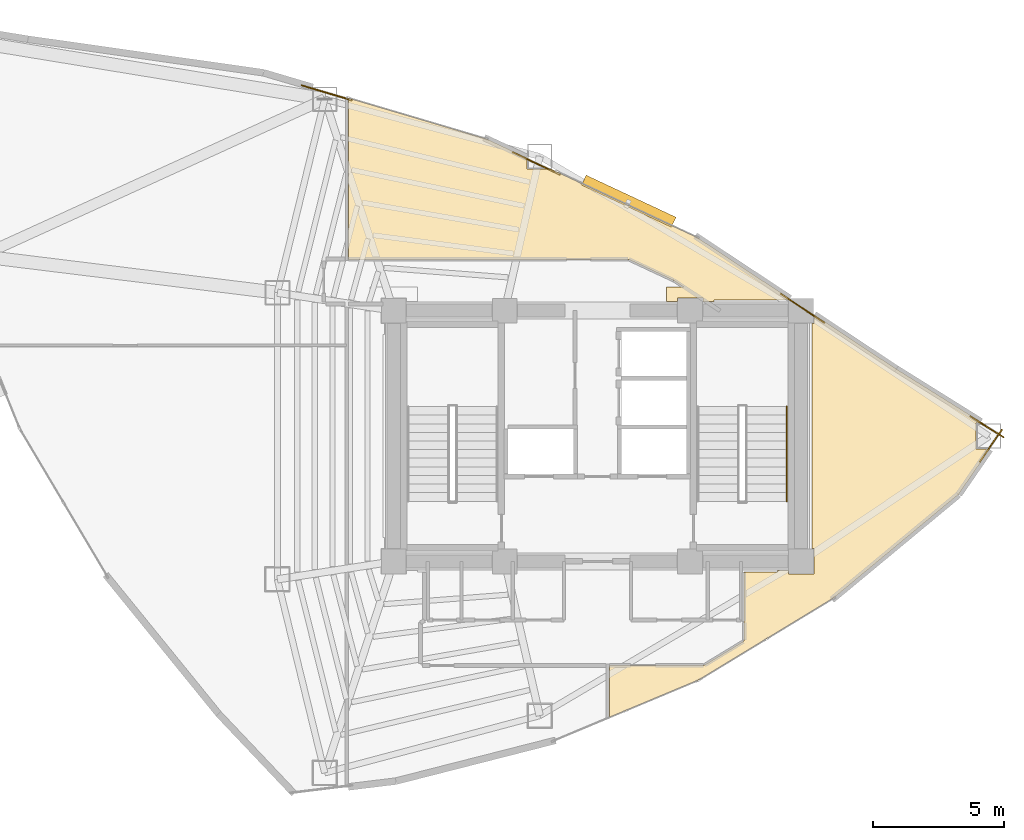
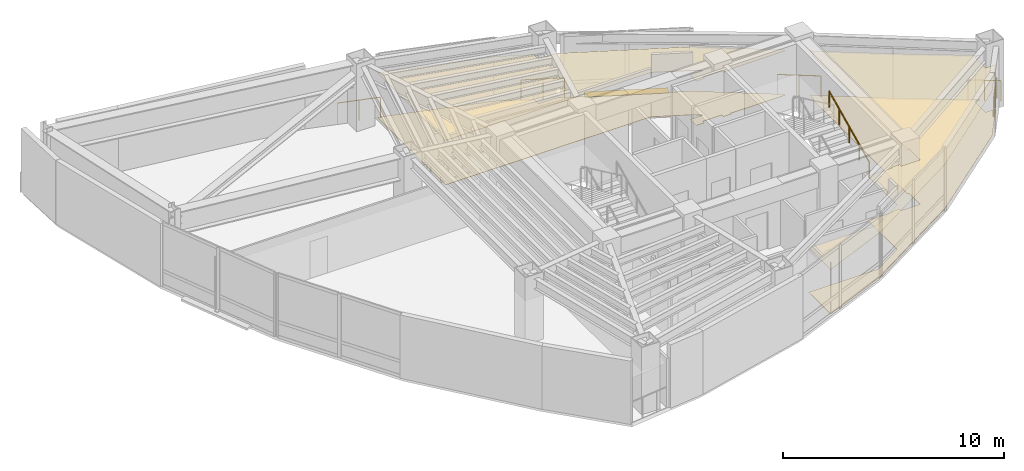
# One storey, part 16 of 16: 6 railings, 4 coverings, 1 shading device.
"""IFC4 building model written with IfcOpenShell, lengths in metres."""

from ifc_helpers import new_model, si_unit, direction, frame, origin, origin_2d, place, context, subcontext, project, spatial, polyline, rectangle, circle, outline, extrude, material, layer, layer_set, type_object, element, save


model = new_model("IFC4")

# Units and contexts
model_context = context("Model", 3, precision=1e-05, world=origin(), true_north=direction((0.0, 1.0)))
body_context = subcontext(model_context, "Body", "Model", "MODEL_VIEW")
ifc_project = project(units=[si_unit("LENGTHUNIT", "METRE"), si_unit("AREAUNIT", "SQUARE_METRE"), si_unit("VOLUMEUNIT", "CUBIC_METRE"), si_unit("PLANEANGLEUNIT", "RADIAN"), si_unit("MASSUNIT", "GRAM", prefix="KILO")], contexts=[model_context])

# Site, building, storey
site_placement = place(None, origin())
site = spatial("IfcSite", under=ifc_project, at=site_placement, CompositionType="ELEMENT")
building_placement = place(site_placement, origin())
building = spatial("IfcBuilding", under=site, at=building_placement, Name="Menara Vayukalpa", CompositionType="ELEMENT")
storey_placement = place(building_placement, frame((0.0, 0.0, 198.9599609375)))
storey = spatial("IfcBuildingStorey", under=building, at=storey_placement, Name="L50", CompositionType="ELEMENT", Elevation=198.9599609375)

# Coverings
ifc_material_1 = material(Name="Mineral Fibre Acoustic Ceiling Tile", Category="masonry")
ifc_layer_1 = layer(ifc_material_1, 0.02490234375)
ifc_layer_set_1 = layer_set([ifc_layer_1], Name="Mineral Fibre Acoustic Ceiling Tile")
covering_type_1 = type_object("IfcCoveringType", Name="COV-CLG1", PredefinedType="CEILING", material=ifc_layer_set_1)
covering_1_placement = place(storey_placement, frame((0.0, 0.0, 2.449951171875)))
element("IfcCovering", 1, at=covering_1_placement, inside=storey, type_object=covering_type_1, Name="L50 Technical Reference Library Acoustic Ceiling", PredefinedType="CEILING", context=body_context, shape_type="SweptSolid", body=[
    extrude(outline(polyline([(33.81005859375, 26.31005859375), (33.889892578125, 26.31005859375), (33.889892578125, 26.653564453125), (37.04296875, 24.569580078125), (37.04345703125, 24.5693359375), (37.04345703125, 24.5693359375), (40.373779296875, 22.489990234375), (40.1005859375, 22.489990234375), (40.1005859375, 21.510009765625), (40.635009765625, 21.510009765625), (39.4326171875, 19.765869140625), (39.431884765625, 19.76513671875), (39.431396484375, 19.764404296875), (39.4306640625, 19.763916015625), (34.662109375, 15.809326171875), (34.660888671875, 15.80859375), (29.47998046875, 12.661376953125), (29.479248046875, 12.660888671875), (29.478515625, 12.66064453125), (26.073974609375, 11.236328125), (26.072998046875, 11.236083984375), (26.072021484375, 11.23583984375), (26.071044921875, 11.235595703125), (26.070068359375, 11.235595703125), (26.069091796875, 11.235595703125), (26.068115234375, 11.23583984375), (26.067138671875, 11.236083984375), (26.066162109375, 11.236328125), (26.065185546875, 11.23681640625), (26.064453125, 11.2373046875), (26.063720703125, 11.23779296875), (26.06298828125, 11.238525390625), (26.062255859375, 11.2392578125), (26.061767578125, 11.239990234375), (26.061279296875, 11.240966796875), (26.060791015625, 11.24169921875), (26.060302734375, 11.24267578125), (26.060302734375, 11.24365234375), (26.06005859375, 11.24462890625), (26.06005859375, 11.24560546875), (26.06005859375, 13.2099609375), (26.06005859375, 13.2109375), (26.060302734375, 13.2119140625), (26.060302734375, 13.212890625), (26.060791015625, 13.2138671875), (26.061279296875, 13.214599609375), (26.061767578125, 13.215576171875), (26.062255859375, 13.21630859375), (26.06298828125, 13.217041015625), (26.063720703125, 13.2177734375), (26.064453125, 13.21826171875), (26.065185546875, 13.21875), (26.066162109375, 13.21923828125), (26.067138671875, 13.219482421875), (26.068115234375, 13.2197265625), (26.069091796875, 13.219970703125), (26.070068359375, 13.219970703125), (29.667236328125, 13.219970703125), (29.673828125, 13.22021484375), (29.68017578125, 13.22119140625), (29.686279296875, 13.22265625), (29.6923828125, 13.224609375), (29.6982421875, 13.22705078125), (29.7041015625, 13.230224609375), (31.18603515625, 14.130615234375), (31.1923828125, 14.134765625), (31.19775390625, 14.139404296875), (31.20263671875, 14.14453125), (31.20703125, 14.150146484375), (31.2109375, 14.15625), (31.214111328125, 14.16259765625), (31.216552734375, 14.16943359375), (31.218505859375, 14.176513671875), (31.219482421875, 14.183349609375), (31.219970703125, 14.19091796875), (31.219970703125, 14.849609375), (31.219482421875, 14.856689453125), (31.21875, 14.86376953125), (31.217041015625, 14.870361328125), (31.214599609375, 14.876708984375), (31.2119140625, 14.8828125), (31.211669921875, 14.883056640625), (31.211181640625, 14.8837890625), (31.210693359375, 14.884765625), (31.21044921875, 14.8857421875), (31.210205078125, 14.88671875), (31.2099609375, 14.8876953125), (31.2099609375, 14.888671875), (31.2099609375, 16.780029296875), (31.2099609375, 16.781005859375), (31.210205078125, 16.781982421875), (31.21044921875, 16.782958984375), (31.210693359375, 16.78369140625), (31.211181640625, 16.78466796875), (31.211669921875, 16.78564453125), (31.21240234375, 16.786376953125), (31.212890625, 16.787109375), (31.213623046875, 16.78759765625), (31.21435546875, 16.788330078125), (31.21533203125, 16.788818359375), (31.21630859375, 16.789306640625), (31.217041015625, 16.78955078125), (31.218017578125, 16.789794921875), (31.218994140625, 16.7900390625), (31.219970703125, 16.7900390625), (32.489990234375, 16.7900390625), (32.489990234375, 16.85009765625), (32.909912109375, 16.85009765625), (32.909912109375, 16.7099609375), (33.889892578125, 16.7099609375), (33.889892578125, 17.68994140625), (33.81005859375, 17.68994140625), (33.81005859375, 26.31005859375)])), origin(), (0.0, 0.0, 1.0), 0.025146484375),
])
covering_2_placement = place(storey_placement, frame((0.0, 0.0, 2.449951171875)))
element("IfcCovering", 2, at=covering_2_placement, inside=storey, type_object=covering_type_1, Name="L50 Technical Reference Library Acoustic Ceiling", PredefinedType="CEILING", context=body_context, shape_type="SweptSolid", body=[
    extrude(outline(polyline([(28.525390625, 27.95751953125), (28.515869140625, 27.962890625), (26.80517578125, 28.76318359375), (26.7978515625, 28.76611328125), (26.79052734375, 28.768310546875), (26.782958984375, 28.76953125), (26.77490234375, 28.77001953125), (16.070068359375, 28.77001953125), (16.069091796875, 28.77001953125), (16.068115234375, 28.770263671875), (16.067138671875, 28.7705078125), (16.066162109375, 28.770751953125), (16.065185546875, 28.771240234375), (16.064453125, 28.771728515625), (16.063720703125, 28.772216796875), (16.06298828125, 28.77294921875), (16.062255859375, 28.773681640625), (16.061767578125, 28.7744140625), (16.061279296875, 28.775390625), (16.060791015625, 28.776123046875), (16.060302734375, 28.777099609375), (16.060302734375, 28.778076171875), (16.06005859375, 28.779052734375), (16.06005859375, 28.780029296875), (16.06005859375, 34.93115234375), (16.06005859375, 34.93212890625), (16.060302734375, 34.93310546875), (16.060302734375, 34.93408203125), (16.060791015625, 34.934814453125), (16.061279296875, 34.935791015625), (16.061767578125, 34.9365234375), (16.062255859375, 34.9375), (16.06298828125, 34.938232421875), (16.063720703125, 34.938720703125), (16.064453125, 34.939453125), (16.065185546875, 34.93994140625), (16.066162109375, 34.940185546875), (16.067138671875, 34.940673828125), (16.068115234375, 34.94091796875), (16.069091796875, 34.94091796875), (16.06982421875, 34.941162109375), (16.07080078125, 34.941162109375), (16.072021484375, 34.94091796875), (16.07275390625, 34.940673828125), (21.35888671875, 33.37548828125), (21.359619140625, 33.375244140625), (21.3603515625, 33.375), (22.8994140625, 32.655029296875), (22.8994140625, 32.218505859375), (23.83251953125, 32.218505859375), (29.43701171875, 29.5966796875), (29.438232421875, 29.595947265625), (32.927001953125, 27.2900390625), (32.909912109375, 27.2900390625), (32.909912109375, 27.2099609375), (30.06005859375, 27.2099609375), (30.06005859375, 27.14990234375), (29.639892578125, 27.14990234375), (29.639892578125, 27.2900390625), (28.659912109375, 27.2900390625), (28.659912109375, 27.14990234375), (28.239990234375, 27.14990234375), (28.239990234375, 27.7099609375), (28.900146484375, 27.7099609375), (28.525390625, 27.95751953125)])), origin(), (0.0, 0.0, 1.0), 0.025146484375),
])
ifc_material_2 = material(Name="Porcelain Stoneware Floor Tile", Category="masonry")
ifc_layer_2 = layer(ifc_material_2, 0.02001953125)
ifc_layer_set_2 = layer_set([ifc_layer_2], Name="Porcelain Stoneware Floor Tile")
covering_type_2 = type_object("IfcCoveringType", Name="COV-FLR1", PredefinedType="FLOORING", material=ifc_layer_set_2)
covering_3_placement = place(storey_placement, origin())
element("IfcCovering", 3, at=covering_3_placement, inside=storey, type_object=covering_type_2, Name="L50 Technical Reference Library Porcelain Flooring", PredefinedType="FLOORING", context=body_context, shape_type="SweptSolid", body=[
    extrude(outline(polyline([(33.81005859375, 26.31005859375), (33.889892578125, 26.31005859375), (33.889892578125, 26.653564453125), (37.04296875, 24.569580078125), (37.04345703125, 24.5693359375), (37.04345703125, 24.5693359375), (40.373779296875, 22.489990234375), (40.1005859375, 22.489990234375), (40.1005859375, 21.510009765625), (40.635009765625, 21.510009765625), (39.4326171875, 19.765869140625), (39.431884765625, 19.76513671875), (39.431396484375, 19.764404296875), (39.4306640625, 19.763916015625), (34.662109375, 15.809326171875), (34.660888671875, 15.80859375), (29.47998046875, 12.661376953125), (29.479248046875, 12.660888671875), (29.478515625, 12.66064453125), (26.073974609375, 11.236328125), (26.072998046875, 11.236083984375), (26.072021484375, 11.23583984375), (26.071044921875, 11.235595703125), (26.070068359375, 11.235595703125), (26.069091796875, 11.235595703125), (26.068115234375, 11.23583984375), (26.067138671875, 11.236083984375), (26.066162109375, 11.236328125), (26.065185546875, 11.23681640625), (26.064453125, 11.2373046875), (26.063720703125, 11.23779296875), (26.06298828125, 11.238525390625), (26.062255859375, 11.2392578125), (26.061767578125, 11.239990234375), (26.061279296875, 11.240966796875), (26.060791015625, 11.24169921875), (26.060302734375, 11.24267578125), (26.060302734375, 11.24365234375), (26.06005859375, 11.24462890625), (26.06005859375, 11.24560546875), (26.06005859375, 13.2099609375), (26.06005859375, 13.2109375), (26.060302734375, 13.2119140625), (26.060302734375, 13.212890625), (26.060791015625, 13.2138671875), (26.061279296875, 13.214599609375), (26.061767578125, 13.215576171875), (26.062255859375, 13.21630859375), (26.06298828125, 13.217041015625), (26.063720703125, 13.2177734375), (26.064453125, 13.21826171875), (26.065185546875, 13.21875), (26.066162109375, 13.21923828125), (26.067138671875, 13.219482421875), (26.068115234375, 13.2197265625), (26.069091796875, 13.219970703125), (26.070068359375, 13.219970703125), (29.667236328125, 13.219970703125), (29.673828125, 13.22021484375), (29.68017578125, 13.22119140625), (29.686279296875, 13.22265625), (29.6923828125, 13.224609375), (29.6982421875, 13.22705078125), (29.7041015625, 13.230224609375), (31.18603515625, 14.130615234375), (31.1923828125, 14.134765625), (31.19775390625, 14.139404296875), (31.20263671875, 14.14453125), (31.20703125, 14.150146484375), (31.2109375, 14.15625), (31.214111328125, 14.16259765625), (31.216552734375, 14.16943359375), (31.218505859375, 14.176513671875), (31.219482421875, 14.183349609375), (31.219970703125, 14.19091796875), (31.219970703125, 14.849609375), (31.219482421875, 14.856689453125), (31.21875, 14.86376953125), (31.217041015625, 14.870361328125), (31.214599609375, 14.876708984375), (31.2119140625, 14.8828125), (31.211669921875, 14.883056640625), (31.211181640625, 14.8837890625), (31.210693359375, 14.884765625), (31.21044921875, 14.8857421875), (31.210205078125, 14.88671875), (31.2099609375, 14.8876953125), (31.2099609375, 14.888671875), (31.2099609375, 16.780029296875), (31.2099609375, 16.781005859375), (31.210205078125, 16.781982421875), (31.21044921875, 16.782958984375), (31.210693359375, 16.78369140625), (31.211181640625, 16.78466796875), (31.211669921875, 16.78564453125), (31.21240234375, 16.786376953125), (31.212890625, 16.787109375), (31.213623046875, 16.78759765625), (31.21435546875, 16.788330078125), (31.21533203125, 16.788818359375), (31.21630859375, 16.789306640625), (31.217041015625, 16.78955078125), (31.218017578125, 16.789794921875), (31.218994140625, 16.7900390625), (31.219970703125, 16.7900390625), (32.489990234375, 16.7900390625), (32.489990234375, 16.85009765625), (32.909912109375, 16.85009765625), (32.909912109375, 16.7099609375), (33.889892578125, 16.7099609375), (33.889892578125, 17.68994140625), (33.81005859375, 17.68994140625), (33.81005859375, 26.31005859375)])), origin(), (0.0, 0.0, 1.0), 0.02001953125),
])
covering_4_placement = place(storey_placement, origin())
element("IfcCovering", 4, at=covering_4_placement, inside=storey, type_object=covering_type_2, Name="L50 Technical Reference Library Porcelain Flooring", PredefinedType="FLOORING", context=body_context, shape_type="SweptSolid", body=[
    extrude(outline(polyline([(28.525390625, 27.95751953125), (28.515869140625, 27.962890625), (26.80517578125, 28.76318359375), (26.7978515625, 28.76611328125), (26.79052734375, 28.768310546875), (26.782958984375, 28.76953125), (26.77490234375, 28.77001953125), (16.070068359375, 28.77001953125), (16.069091796875, 28.77001953125), (16.068115234375, 28.770263671875), (16.067138671875, 28.7705078125), (16.066162109375, 28.770751953125), (16.065185546875, 28.771240234375), (16.064453125, 28.771728515625), (16.063720703125, 28.772216796875), (16.06298828125, 28.77294921875), (16.062255859375, 28.773681640625), (16.061767578125, 28.7744140625), (16.061279296875, 28.775390625), (16.060791015625, 28.776123046875), (16.060302734375, 28.777099609375), (16.060302734375, 28.778076171875), (16.06005859375, 28.779052734375), (16.06005859375, 28.780029296875), (16.06005859375, 34.93115234375), (16.06005859375, 34.93212890625), (16.060302734375, 34.93310546875), (16.060302734375, 34.93408203125), (16.060791015625, 34.934814453125), (16.061279296875, 34.935791015625), (16.061767578125, 34.9365234375), (16.062255859375, 34.9375), (16.06298828125, 34.938232421875), (16.063720703125, 34.938720703125), (16.064453125, 34.939453125), (16.065185546875, 34.93994140625), (16.066162109375, 34.940185546875), (16.067138671875, 34.940673828125), (16.068115234375, 34.94091796875), (16.069091796875, 34.94091796875), (16.06982421875, 34.941162109375), (16.07080078125, 34.941162109375), (16.072021484375, 34.94091796875), (16.07275390625, 34.940673828125), (21.35888671875, 33.37548828125), (21.359619140625, 33.375244140625), (21.3603515625, 33.375), (22.8994140625, 32.655029296875), (22.8994140625, 32.218505859375), (23.83251953125, 32.218505859375), (29.43701171875, 29.5966796875), (29.438232421875, 29.595947265625), (32.927001953125, 27.2900390625), (32.909912109375, 27.2900390625), (32.909912109375, 27.2099609375), (30.06005859375, 27.2099609375), (30.06005859375, 27.14990234375), (29.639892578125, 27.14990234375), (29.639892578125, 27.2900390625), (28.659912109375, 27.2900390625), (28.659912109375, 27.14990234375), (28.239990234375, 27.14990234375), (28.239990234375, 27.7099609375), (28.900146484375, 27.7099609375), (28.525390625, 27.95751953125)])), origin(), (0.0, 0.0, 1.0), 0.02001953125),
])

# Railings
ifc_material_3 = material(Name="Laminated Glass and Stainless Steel 316 Guardrail", Category="steel")
railing_type_1 = type_object("IfcRailingType", Name="RLG-EXT115", PredefinedType="GUARDRAIL", material=ifc_material_3)
railing_1_placement = place(storey_placement, frame((40.251953125, 21.02490234375, 0.0)))
element("IfcRailing", 5, at=railing_1_placement, inside=storey, type_object=railing_type_1, Name="L50 Column Corner Spandrel Guardrail 01-1", PredefinedType="GUARDRAIL", context=body_context, shape_type="SweptSolid", body=[
    extrude(circle(Radius=0.02392578125, at=origin_2d()), frame((0.0, 0.0, 1.1259765625), z_axis=(0.56749405819, 0.823377491749, 0.0), x_axis=(-0.823377491749, 0.56749405819, 0.0)), (0.0, 0.0, 1.0), 1.480712890625),
    extrude(circle(Radius=0.02099609375, at=origin_2d()), origin(), (0.0, 0.0, 1.0), 1.101806640625),
    extrude(circle(Radius=0.02099609375, at=origin_2d()), frame((0.420166015625, 0.609619140625, 0.0)), (0.0, 0.0, 1.0), 1.101806640625),
    extrude(circle(Radius=0.02099609375, at=origin_2d()), frame((0.84033203125, 1.21923828125, 0.0)), (0.0, 0.0, 1.0), 1.101806640625),
])
railing_2_placement = place(storey_placement, frame((41.152099609375, 21.956787109375, 0.0)))
element("IfcRailing", 6, at=railing_2_placement, inside=storey, type_object=railing_type_1, Name="L50 Column Corner Spandrel Guardrail 02-1", PredefinedType="GUARDRAIL", context=body_context, shape_type="SweptSolid", body=[
    extrude(circle(Radius=0.02392578125, at=origin_2d()), frame((0.0, 0.0, 1.1259765625), z_axis=(-0.848218505304, 0.529646454968, 0.0), x_axis=(-0.529646454968, -0.848218505304, 0.0)), (0.0, 0.0, 1.0), 1.494384765625),
    extrude(circle(Radius=0.02099609375, at=origin_2d()), origin(), (0.0, 0.0, 1.0), 1.101806640625),
    extrude(circle(Radius=0.02099609375, at=origin_2d()), frame((-0.6337890625, 0.395751953125, 0.0)), (0.0, 0.0, 1.0), 1.101806640625),
    extrude(circle(Radius=0.02099609375, at=origin_2d()), frame((-1.267578125, 0.79150390625, 0.0)), (0.0, 0.0, 1.0), 1.101806640625),
])
railing_3_placement = place(storey_placement, frame((34.289794921875, 26.341552734375, 0.0)))
element("IfcRailing", 7, at=railing_3_placement, inside=storey, type_object=railing_type_1, Name="L50 Column Corner Spandrel Guardrail 03-1", PredefinedType="GUARDRAIL", context=body_context, shape_type="SweptSolid", body=[
    extrude(circle(Radius=0.02392578125, at=origin_2d()), frame((0.0, 0.0, 1.1259765625), z_axis=(-0.83430811617, 0.551298437593, 0.0), x_axis=(-0.551298437593, -0.83430811617, 0.0)), (0.0, 0.0, 1.0), 1.990234375),
    extrude(circle(Radius=0.02099609375, at=origin_2d()), origin(), (0.0, 0.0, 1.0), 1.101806640625),
    extrude(circle(Radius=0.02099609375, at=origin_2d()), frame((-0.830078125, 0.548583984375, 0.0)), (0.0, 0.0, 1.0), 1.101806640625),
    extrude(circle(Radius=0.02099609375, at=origin_2d()), frame((-1.660400390625, 1.09716796875, 0.0)), (0.0, 0.0, 1.0), 1.101806640625),
])
railing_4_placement = place(storey_placement, frame((24.165283203125, 32.018798828125, 0.0)))
element("IfcRailing", 8, at=railing_4_placement, inside=storey, type_object=railing_type_1, Name="L50 Column Corner Spandrel Guardrail 04-1", PredefinedType="GUARDRAIL", context=body_context, shape_type="SweptSolid", body=[
    extrude(circle(Radius=0.02392578125, at=origin_2d()), frame((0.0, 0.0, 1.1259765625), z_axis=(-0.905825491009, 0.423651011845, 0.0), x_axis=(-0.423651011845, -0.905825491009, 0.0)), (0.0, 0.0, 1.0), 1.989990234375),
    extrude(circle(Radius=0.02099609375, at=origin_2d()), origin(), (0.0, 0.0, 1.0), 1.101806640625),
    extrude(circle(Radius=0.02099609375, at=origin_2d()), frame((-0.9013671875, 0.42138671875, 0.0)), (0.0, 0.0, 1.0), 1.101806640625),
    extrude(circle(Radius=0.02099609375, at=origin_2d()), frame((-1.802490234375, 0.843017578125, 0.0)), (0.0, 0.0, 1.0), 1.101806640625),
])
railing_5_placement = place(storey_placement, frame((16.181884765625, 34.86669921875, 0.0)))
element("IfcRailing", 9, at=railing_5_placement, inside=storey, type_object=railing_type_1, Name="L50 Column Corner Spandrel Guardrail 05-1", PredefinedType="GUARDRAIL", context=body_context, shape_type="SweptSolid", body=[
    extrude(circle(Radius=0.02392578125, at=origin_2d()), frame((0.0, 0.0, 1.1259765625), z_axis=(-0.958859970979, 0.28387947452, 0.0), x_axis=(-0.28387947452, -0.958859970979, 0.0)), (0.0, 0.0, 1.0), 1.989990234375),
    extrude(circle(Radius=0.02099609375, at=origin_2d()), origin(), (0.0, 0.0, 1.0), 1.101806640625),
    extrude(circle(Radius=0.02099609375, at=origin_2d()), frame((-0.9541015625, 0.282470703125, 0.0)), (0.0, 0.0, 1.0), 1.101806640625),
    extrude(circle(Radius=0.02099609375, at=origin_2d()), frame((-1.908203125, 0.56494140625, 0.0)), (0.0, 0.0, 1.0), 1.101806640625),
])
ifc_material_4 = material(Name="Stainless Steel 316 Tubular Handrail", Category="steel")
railing_type_2 = type_object("IfcRailingType", Name="RLG-STH090", PredefinedType="HANDRAIL", material=ifc_material_4)
railing_6_placement = place(storey_placement, frame((32.85009765625, 19.5, 0.155029296875)))
element("IfcRailing", 10, at=railing_6_placement, inside=storey, type_object=railing_type_2, Name="L50 ST-2 stair handrail 1", PredefinedType="HANDRAIL", context=body_context, shape_type="SweptSolid", body=[
    extrude(circle(Radius=0.02392578125, at=origin_2d()), frame((0.0, 0.0, 0.8759765625), z_axis=(0.0, 0.90511648382, 0.425163675209), x_axis=(-1.0, 0.0, 0.0)), (0.0, 0.0, 1.0), 4.010498046875),
    extrude(circle(Radius=0.02099609375, at=origin_2d()), origin(), (0.0, 0.0, 1.0), 0.851806640625),
    extrude(circle(Radius=0.02099609375, at=origin_2d()), frame((0.0, 0.907470703125, 0.42626953125)), (0.0, 0.0, 1.0), 0.851806640625),
    extrude(circle(Radius=0.02099609375, at=origin_2d()), frame((0.0, 1.81494140625, 0.8525390625)), (0.0, 0.0, 1.0), 0.851806640625),
    extrude(circle(Radius=0.02099609375, at=origin_2d()), frame((0.0, 2.722412109375, 1.27880859375)), (0.0, 0.0, 1.0), 0.851806640625),
    extrude(circle(Radius=0.02099609375, at=origin_2d()), frame((0.0, 3.6298828125, 1.705078125)), (0.0, 0.0, 1.0), 0.851806640625),
])

# Shading device
ifc_material_5 = material(Name="Glazed Terracotta Ceramic Baguette Extrusion", Category="masonry")
ifc_layer_3 = layer(ifc_material_5, 0.1201171875)
ifc_layer_set_3 = layer_set([ifc_layer_3], Name="Glazed Terracotta Ceramic Baguette Extrusion")
shading_device_type = type_object("IfcShadingDeviceType", Name="SHD-SS1", PredefinedType="USERDEFINED", material=ifc_layer_set_3)
shading_device_placement = place(storey_placement, frame((26.80126953125, 30.995361328125, -0.10009765625), z_axis=(0.0, 0.0, 1.0), x_axis=(-0.905783389628, 0.423741018871, 0.0)))
element("IfcShadingDevice", 11, at=shading_device_placement, inside=storey, type_object=shading_device_type, Name="L50 Horizontal Terracotta Sunshade Band 05", ObjectType="SUNSHADE", PredefinedType="USERDEFINED", context=body_context, shape_type="SweptSolid", body=[
    extrude(rectangle(XDim=3.800048828125, YDim=0.419921875, at=origin_2d()), origin(), (0.0, 0.0, 1.0), 0.1201171875),
])

save(model, "model.ifc")
